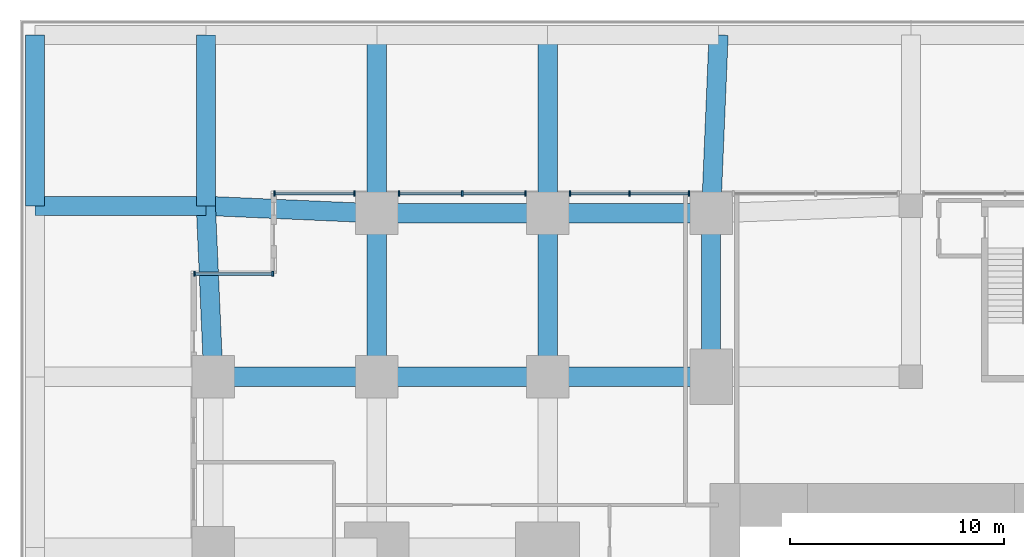
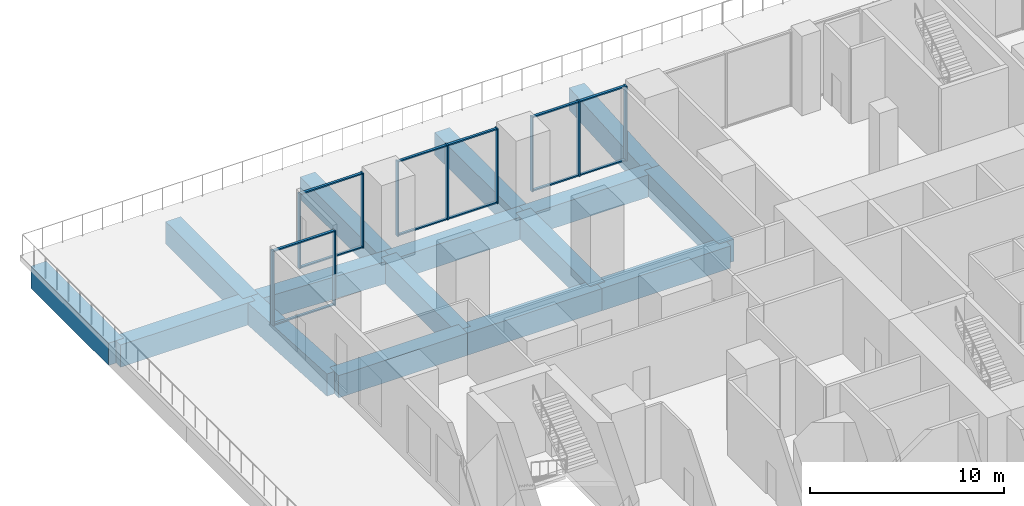
# One storey, part 2 of 16: 22 members, 16 beams, 4 elements without a shape of their own.
"""IFC4 building model written with IfcOpenShell, lengths in metres."""

from ifc_helpers import new_model, si_unit, direction, frame, origin, origin_2d, place, context, subcontext, project, spatial, rectangle, extrude, material, layer, layer_set, material_profile, profile_set, type_object, element, aggregate, save


model = new_model("IFC4")

# Units and contexts
model_context = context("Model", 3, precision=1e-05, world=origin(), true_north=direction((0.0, 1.0)))
body_context = subcontext(model_context, "Body", "Model", "MODEL_VIEW")
ifc_project = project(units=[si_unit("LENGTHUNIT", "METRE"), si_unit("AREAUNIT", "SQUARE_METRE"), si_unit("VOLUMEUNIT", "CUBIC_METRE"), si_unit("PLANEANGLEUNIT", "RADIAN"), si_unit("MASSUNIT", "GRAM", prefix="KILO")], contexts=[model_context])

# Site, building, storey
site_placement = place(None, origin())
site = spatial("IfcSite", under=ifc_project, at=site_placement, CompositionType="ELEMENT")
building_placement = place(site_placement, origin())
building = spatial("IfcBuilding", under=site, at=building_placement, Name="Cleftline Residences", CompositionType="ELEMENT")
storey_placement = place(building_placement, frame((0.0, 0.0, 16.0)))
storey = spatial("IfcBuildingStorey", under=building, at=storey_placement, Name="L03", CompositionType="ELEMENT", Elevation=16.0)

# Beams
ifc_material_1 = material(Name="Concrete B45", Category="concrete")
ifc_material_profile_1 = material_profile(ifc_material_1, rectangle(XDim=0.89990234375, YDim=1.39990234375, at=origin_2d()))
ifc_profile_set_1 = profile_set([ifc_material_profile_1], Name="Concrete B45")
beam_type = type_object("IfcBeamType", Name="BEAM RC900X1400", PredefinedType="BEAM", material=ifc_profile_set_1)
beam_1_placement = place(storey_placement, frame((0.35009765625, 40.0, -1.0), z_axis=(1.0, 0.0, 0.0), x_axis=(0.0, 1.0, 0.0)))
element("IfcBeam", 1, at=beam_1_placement, inside=storey, type_object=beam_type, Name="Podium beam", PredefinedType="BEAM", context=body_context, shape_type="SweptSolid", body=[
    extrude(rectangle(XDim=0.89990234375, YDim=1.39990234375, at=origin_2d()), origin(), (0.0, 0.0, 1.0), 7.64990234375),
])
beam_2_placement = place(storey_placement, frame((8.0, 40.0, -1.0), z_axis=(1.0, 0.0, 0.0), x_axis=(0.0, 1.0, 0.0)))
element("IfcBeam", 2, at=beam_2_placement, inside=storey, type_object=beam_type, Name="Podium beam", PredefinedType="BEAM", context=body_context, shape_type="SweptSolid", body=[
    extrude(rectangle(XDim=0.89990234375, YDim=1.39990234375, at=origin_2d()), origin(), (0.0, 0.0, 1.0), 8.0),
])
beam_3_placement = place(storey_placement, frame((16.0, 40.0, -1.0), z_axis=(1.0, 0.0, 0.0), x_axis=(0.0, 1.0, 0.0)))
element("IfcBeam", 3, at=beam_3_placement, inside=storey, type_object=beam_type, Name="Podium beam", PredefinedType="BEAM", context=body_context, shape_type="SweptSolid", body=[
    extrude(rectangle(XDim=0.89990234375, YDim=1.39990234375, at=origin_2d()), origin(), (0.0, 0.0, 1.0), 7.64990234375),
])
beam_4_placement = place(storey_placement, frame((-8.0, 48.0, -1.0), z_axis=(1.0, 0.0, 0.0), x_axis=(0.0, 1.0, 0.0)))
element("IfcBeam", 4, at=beam_4_placement, inside=storey, type_object=beam_type, Name="Podium beam", PredefinedType="BEAM", context=body_context, shape_type="SweptSolid", body=[
    extrude(rectangle(XDim=0.89990234375, YDim=1.39990234375, at=origin_2d()), origin(), (0.0, 0.0, 1.0), 8.0),
])
beam_5_placement = place(storey_placement, frame((0.0, 48.0, -1.0), z_axis=(0.999043807824, -0.043720361951, 0.0), x_axis=(0.043720361951, 0.999043807824, 0.0)))
element("IfcBeam", 5, at=beam_5_placement, inside=storey, type_object=beam_type, Name="Podium beam", PredefinedType="BEAM", context=body_context, shape_type="SweptSolid", body=[
    extrude(rectangle(XDim=0.89990234375, YDim=1.39990234375, at=origin_2d()), origin(), (0.0, 0.0, 1.0), 8.007568359375),
])
beam_6_placement = place(storey_placement, frame((8.0, 47.64990234375, -1.0), z_axis=(1.0, 0.0, 0.0), x_axis=(0.0, 1.0, 0.0)))
element("IfcBeam", 6, at=beam_6_placement, inside=storey, type_object=beam_type, Name="Podium beam", PredefinedType="BEAM", context=body_context, shape_type="SweptSolid", body=[
    extrude(rectangle(XDim=0.89990234375, YDim=1.39990234375, at=origin_2d()), origin(), (0.0, 0.0, 1.0), 8.0),
])
beam_7_placement = place(storey_placement, frame((16.0, 47.64990234375, -1.0), z_axis=(1.0, 0.0, 0.0), x_axis=(0.0, 1.0, 0.0)))
element("IfcBeam", 7, at=beam_7_placement, inside=storey, type_object=beam_type, Name="Podium beam", PredefinedType="BEAM", context=body_context, shape_type="SweptSolid", body=[
    extrude(rectangle(XDim=0.89990234375, YDim=1.39990234375, at=origin_2d()), origin(), (0.0, 0.0, 1.0), 7.64990234375),
])
beam_8_placement = place(storey_placement, frame((-8.0, 48.0, -1.0), z_axis=(0.0, 1.0, 0.0), x_axis=(-1.0, 0.0, 0.0)))
element("IfcBeam", 8, at=beam_8_placement, inside=storey, type_object=beam_type, Name="Podium beam", PredefinedType="BEAM", context=body_context, shape_type="SweptSolid", body=[
    extrude(rectangle(XDim=0.89990234375, YDim=1.39990234375, at=origin_2d()), origin(), (0.0, 0.0, 1.0), 8.0),
])
beam_9_placement = place(storey_placement, frame((0.35009765625, 40.0, -1.0), z_axis=(-0.043720361951, 0.999043807824, 0.0), x_axis=(-0.999043807824, -0.043720361951, 0.0)))
element("IfcBeam", 9, at=beam_9_placement, inside=storey, type_object=beam_type, Name="Podium beam", PredefinedType="BEAM", context=body_context, shape_type="SweptSolid", body=[
    extrude(rectangle(XDim=0.89990234375, YDim=1.39990234375, at=origin_2d()), origin(), (0.0, 0.0, 1.0), 8.007568359375),
])
beam_10_placement = place(storey_placement, frame((0.0, 48.0, -1.0), z_axis=(0.0, 1.0, 0.0), x_axis=(-1.0, 0.0, 0.0)))
element("IfcBeam", 10, at=beam_10_placement, inside=storey, type_object=beam_type, Name="Podium beam", PredefinedType="BEAM", context=body_context, shape_type="SweptSolid", body=[
    extrude(rectangle(XDim=0.89990234375, YDim=1.39990234375, at=origin_2d()), origin(), (0.0, 0.0, 1.0), 8.0),
])
beam_11_placement = place(storey_placement, frame((8.0, 40.0, -1.0), z_axis=(0.0, 1.0, 0.0), x_axis=(-1.0, 0.0, 0.0)))
element("IfcBeam", 11, at=beam_11_placement, inside=storey, type_object=beam_type, Name="Podium beam", PredefinedType="BEAM", context=body_context, shape_type="SweptSolid", body=[
    extrude(rectangle(XDim=0.89990234375, YDim=1.39990234375, at=origin_2d()), origin(), (0.0, 0.0, 1.0), 7.64990234375),
])
beam_12_placement = place(storey_placement, frame((8.0, 47.64990234375, -1.0), z_axis=(0.0, 1.0, 0.0), x_axis=(-1.0, 0.0, 0.0)))
element("IfcBeam", 12, at=beam_12_placement, inside=storey, type_object=beam_type, Name="Podium beam", PredefinedType="BEAM", context=body_context, shape_type="SweptSolid", body=[
    extrude(rectangle(XDim=0.89990234375, YDim=1.39990234375, at=origin_2d()), origin(), (0.0, 0.0, 1.0), 8.35009765625),
])
beam_13_placement = place(storey_placement, frame((16.0, 40.0, -1.0), z_axis=(0.0, 1.0, 0.0), x_axis=(-1.0, 0.0, 0.0)))
element("IfcBeam", 13, at=beam_13_placement, inside=storey, type_object=beam_type, Name="Podium beam", PredefinedType="BEAM", context=body_context, shape_type="SweptSolid", body=[
    extrude(rectangle(XDim=0.89990234375, YDim=1.39990234375, at=origin_2d()), origin(), (0.0, 0.0, 1.0), 7.64990234375),
])
beam_14_placement = place(storey_placement, frame((16.0, 47.64990234375, -1.0), z_axis=(0.0, 1.0, 0.0), x_axis=(-1.0, 0.0, 0.0)))
element("IfcBeam", 14, at=beam_14_placement, inside=storey, type_object=beam_type, Name="Podium beam", PredefinedType="BEAM", context=body_context, shape_type="SweptSolid", body=[
    extrude(rectangle(XDim=0.89990234375, YDim=1.39990234375, at=origin_2d()), origin(), (0.0, 0.0, 1.0), 8.35009765625),
])
beam_15_placement = place(storey_placement, frame((23.64990234375, 40.0, -1.0), z_axis=(0.0, 1.0, 0.0), x_axis=(-1.0, 0.0, 0.0)))
element("IfcBeam", 15, at=beam_15_placement, inside=storey, type_object=beam_type, Name="Podium beam", PredefinedType="BEAM", context=body_context, shape_type="SweptSolid", body=[
    extrude(rectangle(XDim=0.89990234375, YDim=1.39990234375, at=origin_2d()), origin(), (0.0, 0.0, 1.0), 7.64990234375),
])
beam_16_placement = place(storey_placement, frame((23.64990234375, 47.64990234375, -1.0), z_axis=(0.041890569024, 0.999122204851, 0.0), x_axis=(-0.999122204851, 0.041890569024, 0.0)))
element("IfcBeam", 16, at=beam_16_placement, inside=storey, type_object=beam_type, Name="Podium beam", PredefinedType="BEAM", context=body_context, shape_type="SweptSolid", body=[
    extrude(rectangle(XDim=0.89990234375, YDim=1.39990234375, at=origin_2d()), origin(), (0.0, 0.0, 1.0), 8.357421875),
])

# Curtain wall, members
ifc_material_2 = material(Name="Aluminium framed curtain wall", Category="aluminium")
ifc_layer = layer(ifc_material_2, 0.199951171875)
ifc_layer_set = layer_set([ifc_layer], Name="CW2 PODIUM GLAZING")
curtain_wall_type = type_object("IfcCurtainWallType", Name="CW2 PODIUM GLAZING", PredefinedType="NOTDEFINED", material=ifc_layer_set)
curtain_wall_1_placement = place(storey_placement, origin())
curtain_wall_1 = element("IfcCurtainWall", 17, at=curtain_wall_1_placement, inside=storey, type_object=curtain_wall_type, Name="Curtain wall CW2", PredefinedType="NOTDEFINED")
ifc_material_3 = material(Name="Aluminium mullion", Category="aluminium")
ifc_material_profile_2 = material_profile(ifc_material_3, rectangle(XDim=0.25, YDim=0.080078125, at=origin_2d()))
ifc_profile_set_2 = profile_set([ifc_material_profile_2], Name="Aluminium mullion")
member_type_1 = type_object("IfcMemberType", Name="CW2 MULLION", PredefinedType="MULLION", material=ifc_profile_set_2)
member_1_placement = place(storey_placement, frame((22.610107421875, 48.574951171875, 0.0), z_axis=(0.0, 0.0, 1.0), x_axis=(0.0, -1.0, 0.0)))
member_1 = element("IfcMember", 18, at=member_1_placement, type_object=member_type_1, Name="CW2 mullion 1", PredefinedType="MULLION", context=body_context, shape_type="SweptSolid", body=[
    extrude(rectangle(XDim=0.25, YDim=0.080078125, at=origin_2d()), origin(), (0.0, 0.0, 1.0), 4.699951171875),
])
member_2_placement = place(storey_placement, frame((19.824951171875, 48.574951171875, 0.0), z_axis=(0.0, 0.0, 1.0), x_axis=(0.0, -1.0, 0.0)))
member_2 = element("IfcMember", 19, at=member_2_placement, type_object=member_type_1, Name="CW2 mullion 2", PredefinedType="MULLION", context=body_context, shape_type="SweptSolid", body=[
    extrude(rectangle(XDim=0.25, YDim=0.080078125, at=origin_2d()), origin(), (0.0, 0.0, 1.0), 4.699951171875),
])
member_3_placement = place(storey_placement, frame((17.0400390625, 48.574951171875, 0.0), z_axis=(0.0, 0.0, 1.0), x_axis=(0.0, -1.0, 0.0)))
member_3 = element("IfcMember", 20, at=member_3_placement, type_object=member_type_1, Name="CW2 mullion 3", PredefinedType="MULLION", context=body_context, shape_type="SweptSolid", body=[
    extrude(rectangle(XDim=0.25, YDim=0.080078125, at=origin_2d()), origin(), (0.0, 0.0, 1.0), 4.699951171875),
])

curtain_wall_2_placement = place(storey_placement, origin())
curtain_wall_2 = element("IfcCurtainWall", 21, at=curtain_wall_2_placement, inside=storey, type_object=curtain_wall_type, Name="Curtain wall CW2", PredefinedType="NOTDEFINED")
member_4_placement = place(storey_placement, frame((14.9599609375, 48.574951171875, 0.0), z_axis=(0.0, 0.0, 1.0), x_axis=(0.0, -1.0, 0.0)))
member_4 = element("IfcMember", 22, at=member_4_placement, type_object=member_type_1, Name="CW2 mullion 1", PredefinedType="MULLION", context=body_context, shape_type="SweptSolid", body=[
    extrude(rectangle(XDim=0.25, YDim=0.080078125, at=origin_2d()), origin(), (0.0, 0.0, 1.0), 4.699951171875),
])
member_5_placement = place(storey_placement, frame((12.0, 48.574951171875, 0.0), z_axis=(0.0, 0.0, 1.0), x_axis=(0.0, -1.0, 0.0)))
member_5 = element("IfcMember", 23, at=member_5_placement, type_object=member_type_1, Name="CW2 mullion 2", PredefinedType="MULLION", context=body_context, shape_type="SweptSolid", body=[
    extrude(rectangle(XDim=0.25, YDim=0.080078125, at=origin_2d()), origin(), (0.0, 0.0, 1.0), 4.699951171875),
])
member_6_placement = place(storey_placement, frame((9.0400390625, 48.574951171875, 0.0), z_axis=(0.0, 0.0, 1.0), x_axis=(0.0, -1.0, 0.0)))
member_6 = element("IfcMember", 24, at=member_6_placement, type_object=member_type_1, Name="CW2 mullion 3", PredefinedType="MULLION", context=body_context, shape_type="SweptSolid", body=[
    extrude(rectangle(XDim=0.25, YDim=0.080078125, at=origin_2d()), origin(), (0.0, 0.0, 1.0), 4.699951171875),
])

curtain_wall_3_placement = place(storey_placement, origin())
curtain_wall_3 = element("IfcCurtainWall", 25, at=curtain_wall_3_placement, inside=storey, type_object=curtain_wall_type, Name="Curtain wall CW2", PredefinedType="NOTDEFINED")
member_7_placement = place(storey_placement, frame((6.9599609375, 48.574951171875, 0.0), z_axis=(0.0, 0.0, 1.0), x_axis=(0.0, -1.0, 0.0)))
member_7 = element("IfcMember", 26, at=member_7_placement, type_object=member_type_1, Name="CW2 mullion 1", PredefinedType="MULLION", context=body_context, shape_type="SweptSolid", body=[
    extrude(rectangle(XDim=0.25, YDim=0.080078125, at=origin_2d()), origin(), (0.0, 0.0, 1.0), 4.699951171875),
])
member_8_placement = place(storey_placement, frame((3.215087890625, 48.574951171875, 0.0), z_axis=(0.0, 0.0, 1.0), x_axis=(0.0, -1.0, 0.0)))
member_8 = element("IfcMember", 27, at=member_8_placement, type_object=member_type_1, Name="CW2 mullion 2", PredefinedType="MULLION", context=body_context, shape_type="SweptSolid", body=[
    extrude(rectangle(XDim=0.25, YDim=0.080078125, at=origin_2d()), origin(), (0.0, 0.0, 1.0), 4.699951171875),
])

curtain_wall_4_placement = place(storey_placement, origin())
curtain_wall_4 = element("IfcCurtainWall", 28, at=curtain_wall_4_placement, inside=storey, type_object=curtain_wall_type, Name="Curtain wall CW2", PredefinedType="NOTDEFINED")
member_9_placement = place(storey_placement, frame((3.135009765625, 44.824951171875, 0.0), z_axis=(0.0, 0.0, 1.0), x_axis=(0.0, -1.0, 0.0)))
member_9 = element("IfcMember", 29, at=member_9_placement, type_object=member_type_1, Name="CW2 mullion 1", PredefinedType="MULLION", context=body_context, shape_type="SweptSolid", body=[
    extrude(rectangle(XDim=0.25, YDim=0.080078125, at=origin_2d()), origin(), (0.0, 0.0, 1.0), 4.699951171875),
])
member_10_placement = place(storey_placement, frame((-0.534912109375, 44.824951171875, 0.0), z_axis=(0.0, 0.0, 1.0), x_axis=(0.0, -1.0, 0.0)))
member_10 = element("IfcMember", 30, at=member_10_placement, type_object=member_type_1, Name="CW2 mullion 2", PredefinedType="MULLION", context=body_context, shape_type="SweptSolid", body=[
    extrude(rectangle(XDim=0.25, YDim=0.080078125, at=origin_2d()), origin(), (0.0, 0.0, 1.0), 4.699951171875),
])

# Member
ifc_material_4 = material(Name="Aluminium transom", Category="aluminium")
ifc_material_profile_3 = material_profile(ifc_material_4, rectangle(XDim=0.14990234375, YDim=0.080078125, at=origin_2d()))
ifc_profile_set_3 = profile_set([ifc_material_profile_3], Name="Aluminium transom")
member_type_2 = type_object("IfcMemberType", Name="CW2 TRANSOM", PredefinedType="USERDEFINED", material=ifc_profile_set_3)
member_11_placement = place(storey_placement, frame((22.570068359375, 48.574951171875, 0.0400390625), z_axis=(-1.0, 0.0, 0.0), x_axis=(0.0, -1.0, 0.0)))
member_11 = element("IfcMember", 31, at=member_11_placement, type_object=member_type_2, Name="CW2 transom 1.1", ObjectType="TRANSOM", PredefinedType="USERDEFINED", context=body_context, shape_type="SweptSolid", body=[
    extrude(rectangle(XDim=0.14990234375, YDim=0.080078125, at=origin_2d()), origin(), (0.0, 0.0, 1.0), 2.705078125),
])

member_12_placement = place(storey_placement, frame((22.570068359375, 48.574951171875, 4.659912109375), z_axis=(-1.0, 0.0, 0.0), x_axis=(0.0, -1.0, 0.0)))
member_12 = element("IfcMember", 32, at=member_12_placement, type_object=member_type_2, Name="CW2 transom 1.2", ObjectType="TRANSOM", PredefinedType="USERDEFINED", context=body_context, shape_type="SweptSolid", body=[
    extrude(rectangle(XDim=0.14990234375, YDim=0.080078125, at=origin_2d()), origin(), (0.0, 0.0, 1.0), 2.705078125),
])

member_13_placement = place(storey_placement, frame((19.784912109375, 48.574951171875, 0.0400390625), z_axis=(-1.0, 0.0, 0.0), x_axis=(0.0, -1.0, 0.0)))
member_13 = element("IfcMember", 33, at=member_13_placement, type_object=member_type_2, Name="CW2 transom 2.1", ObjectType="TRANSOM", PredefinedType="USERDEFINED", context=body_context, shape_type="SweptSolid", body=[
    extrude(rectangle(XDim=0.14990234375, YDim=0.080078125, at=origin_2d()), origin(), (0.0, 0.0, 1.0), 2.704833984375),
])

member_14_placement = place(storey_placement, frame((19.784912109375, 48.574951171875, 4.659912109375), z_axis=(-1.0, 0.0, 0.0), x_axis=(0.0, -1.0, 0.0)))
member_14 = element("IfcMember", 34, at=member_14_placement, type_object=member_type_2, Name="CW2 transom 2.2", ObjectType="TRANSOM", PredefinedType="USERDEFINED", context=body_context, shape_type="SweptSolid", body=[
    extrude(rectangle(XDim=0.14990234375, YDim=0.080078125, at=origin_2d()), origin(), (0.0, 0.0, 1.0), 2.704833984375),
])

aggregate(curtain_wall_1, [member_1, member_2, member_3, member_11, member_12, member_13, member_14])

member_15_placement = place(storey_placement, frame((14.919921875, 48.574951171875, 0.0400390625), z_axis=(-1.0, 0.0, 0.0), x_axis=(0.0, -1.0, 0.0)))
member_15 = element("IfcMember", 35, at=member_15_placement, type_object=member_type_2, Name="CW2 transom 1.1", ObjectType="TRANSOM", PredefinedType="USERDEFINED", context=body_context, shape_type="SweptSolid", body=[
    extrude(rectangle(XDim=0.14990234375, YDim=0.080078125, at=origin_2d()), origin(), (0.0, 0.0, 1.0), 2.8798828125),
])

member_16_placement = place(storey_placement, frame((14.919921875, 48.574951171875, 4.659912109375), z_axis=(-1.0, 0.0, 0.0), x_axis=(0.0, -1.0, 0.0)))
member_16 = element("IfcMember", 36, at=member_16_placement, type_object=member_type_2, Name="CW2 transom 1.2", ObjectType="TRANSOM", PredefinedType="USERDEFINED", context=body_context, shape_type="SweptSolid", body=[
    extrude(rectangle(XDim=0.14990234375, YDim=0.080078125, at=origin_2d()), origin(), (0.0, 0.0, 1.0), 2.8798828125),
])

member_17_placement = place(storey_placement, frame((11.9599609375, 48.574951171875, 0.0400390625), z_axis=(-1.0, 0.0, 0.0), x_axis=(0.0, -1.0, 0.0)))
member_17 = element("IfcMember", 37, at=member_17_placement, type_object=member_type_2, Name="CW2 transom 2.1", ObjectType="TRANSOM", PredefinedType="USERDEFINED", context=body_context, shape_type="SweptSolid", body=[
    extrude(rectangle(XDim=0.14990234375, YDim=0.080078125, at=origin_2d()), origin(), (0.0, 0.0, 1.0), 2.8798828125),
])

member_18_placement = place(storey_placement, frame((11.9599609375, 48.574951171875, 4.659912109375), z_axis=(-1.0, 0.0, 0.0), x_axis=(0.0, -1.0, 0.0)))
member_18 = element("IfcMember", 38, at=member_18_placement, type_object=member_type_2, Name="CW2 transom 2.2", ObjectType="TRANSOM", PredefinedType="USERDEFINED", context=body_context, shape_type="SweptSolid", body=[
    extrude(rectangle(XDim=0.14990234375, YDim=0.080078125, at=origin_2d()), origin(), (0.0, 0.0, 1.0), 2.8798828125),
])

aggregate(curtain_wall_2, [member_4, member_5, member_6, member_15, member_16, member_17, member_18])

member_19_placement = place(storey_placement, frame((6.919921875, 48.574951171875, 0.0400390625), z_axis=(-1.0, 0.0, 0.0), x_axis=(0.0, -1.0, 0.0)))
member_19 = element("IfcMember", 39, at=member_19_placement, type_object=member_type_2, Name="CW2 transom 1.1", ObjectType="TRANSOM", PredefinedType="USERDEFINED", context=body_context, shape_type="SweptSolid", body=[
    extrude(rectangle(XDim=0.14990234375, YDim=0.080078125, at=origin_2d()), origin(), (0.0, 0.0, 1.0), 3.6650390625),
])

member_20_placement = place(storey_placement, frame((6.919921875, 48.574951171875, 4.659912109375), z_axis=(-1.0, 0.0, 0.0), x_axis=(0.0, -1.0, 0.0)))
member_20 = element("IfcMember", 40, at=member_20_placement, type_object=member_type_2, Name="CW2 transom 1.2", ObjectType="TRANSOM", PredefinedType="USERDEFINED", context=body_context, shape_type="SweptSolid", body=[
    extrude(rectangle(XDim=0.14990234375, YDim=0.080078125, at=origin_2d()), origin(), (0.0, 0.0, 1.0), 3.6650390625),
])

aggregate(curtain_wall_3, [member_7, member_8, member_19, member_20])

member_21_placement = place(storey_placement, frame((3.094970703125, 44.824951171875, 0.0400390625), z_axis=(-1.0, 0.0, 0.0), x_axis=(0.0, -1.0, 0.0)))
member_21 = element("IfcMember", 41, at=member_21_placement, type_object=member_type_2, Name="CW2 transom 1.1", ObjectType="TRANSOM", PredefinedType="USERDEFINED", context=body_context, shape_type="SweptSolid", body=[
    extrude(rectangle(XDim=0.14990234375, YDim=0.080078125, at=origin_2d()), origin(), (0.0, 0.0, 1.0), 3.590087890625),
])

member_22_placement = place(storey_placement, frame((3.094970703125, 44.824951171875, 4.659912109375), z_axis=(-1.0, 0.0, 0.0), x_axis=(0.0, -1.0, 0.0)))
member_22 = element("IfcMember", 42, at=member_22_placement, type_object=member_type_2, Name="CW2 transom 1.2", ObjectType="TRANSOM", PredefinedType="USERDEFINED", context=body_context, shape_type="SweptSolid", body=[
    extrude(rectangle(XDim=0.14990234375, YDim=0.080078125, at=origin_2d()), origin(), (0.0, 0.0, 1.0), 3.590087890625),
])

aggregate(curtain_wall_4, [member_9, member_10, member_21, member_22])

save(model, "model.ifc")
